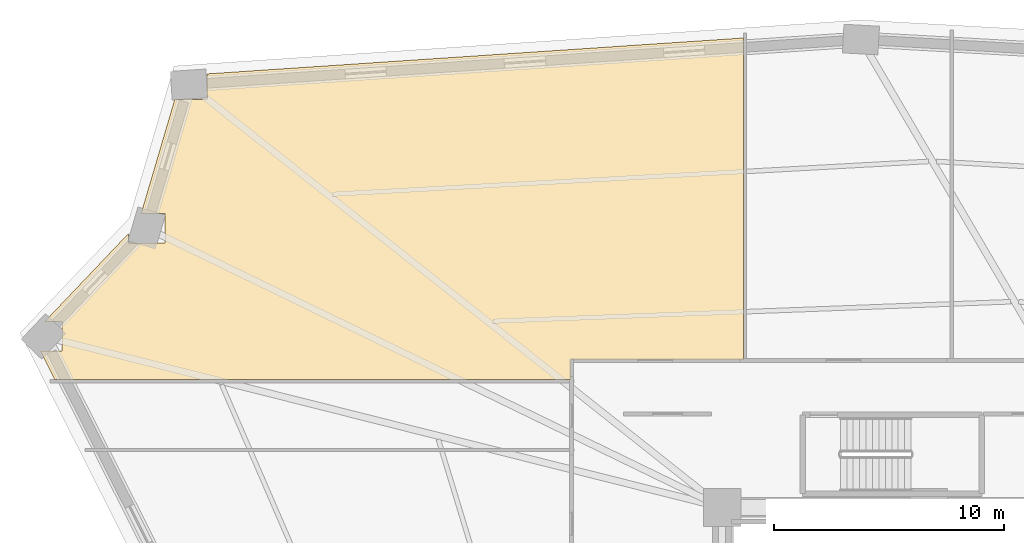
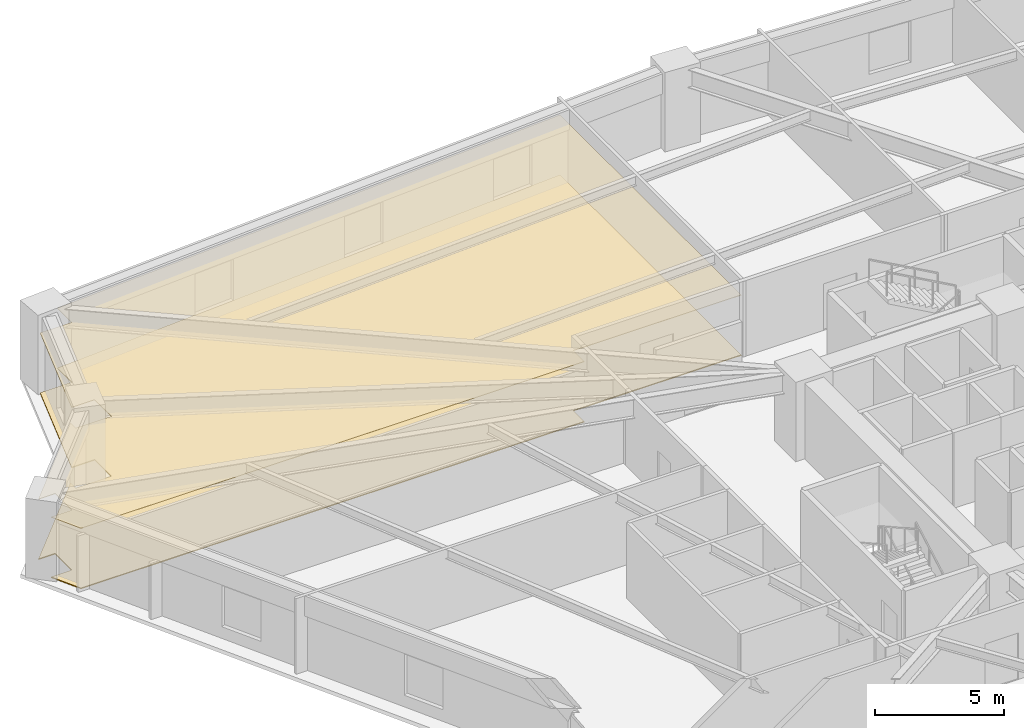
# One storey, part 10 of 11: 2 coverings.
"""IFC4 building model written with IfcOpenShell, lengths in metres."""

import ifcopenshell
import ifcopenshell.guid

model = None  # the IFC model being written
_history = None  # IfcOwnerHistory: only IFC2X3 demands one
_inside = {}  # id of a spatial element -> (the spatial element, [elements in it])
_under = {}  # id of a project, library or spatial element -> (it, [spatial elements below it])
_declared = {}  # id of a project -> (the project, [libraries it declares])
_typed = {}  # id of a type object -> (the type object, [elements of that type])
_made_of = {}  # id of a material, layer set ... -> (it, [elements and type objects made of it])


def new_model(schema):
    """Start an empty IFC model of exactly this schema.

    Asked for "IFC4X3", IfcOpenShell would pick the latest addendum, in which some entities
    have other attributes; the version numbers below select the first issue.
    IFC2X3 requires an IfcOwnerHistory on every rooted entity: one is made here for all.
    """
    global model, _history
    if schema == "IFC4X3":
        model = ifcopenshell.file(schema_version=(4, 3, 0, 0))
    else:
        model = ifcopenshell.file(schema=schema)
    _inside.clear()
    _under.clear()
    _declared.clear()
    _typed.clear()
    _made_of.clear()
    _history = None
    if model.schema == "IFC2X3":
        org = make("IfcOrganization", Name="unknown")
        user = make(
            "IfcPersonAndOrganization",
            ThePerson=make("IfcPerson", FamilyName="unknown"),
            TheOrganization=org,
        )
        app = make(
            "IfcApplication",
            ApplicationDeveloper=org,
            Version="unknown",
            ApplicationFullName="unknown",
            ApplicationIdentifier="unknown",
        )
        _history = make(
            "IfcOwnerHistory",
            OwningUser=user,
            OwningApplication=app,
            ChangeAction="ADDED",
            CreationDate=0,
        )
    return model


def make(cls, **values):
    """One entity of the class cls with the attributes given. An attribute that is None is left unset."""
    return model.create_entity(
        cls, **{name: value for name, value in values.items() if value is not None}
    )


def rooted(cls, **values):
    """An entity with a GlobalId (a new one), such as an element, a storey or a relation."""
    return make(cls, GlobalId=ifcopenshell.guid.new(), OwnerHistory=_history, **values)


def si_unit(unit_type, name, prefix=None):
    """IfcSIUnit, for example si_unit("LENGTHUNIT", "METRE", prefix="MILLI")."""
    return make("IfcSIUnit", UnitType=unit_type, Prefix=prefix, Name=name)


def assignment(units):
    """IfcUnitAssignment: the units of a project."""
    return None if units is None else make("IfcUnitAssignment", Units=units)


def point(xyz):
    """IfcCartesianPoint."""
    return None if xyz is None else make("IfcCartesianPoint", Coordinates=xyz)


def direction(xyz):
    """IfcDirection."""
    return None if xyz is None else make("IfcDirection", DirectionRatios=xyz)


def frame(location, z_axis=None, x_axis=None):
    """IfcAxis2Placement3D, a coordinate frame: its origin and axes. An axis left out is left unset."""
    return make(
        "IfcAxis2Placement3D",
        Location=point(location),
        Axis=direction(z_axis),
        RefDirection=direction(x_axis),
    )


def origin():
    """The frame at (0, 0, 0) with its axes left unset."""
    return frame((0.0, 0.0, 0.0))


def place(relative_to, where):
    """IfcLocalPlacement: puts the frame where relative to a parent placement (None: the world)."""
    return make(
        "IfcLocalPlacement", PlacementRelTo=relative_to, RelativePlacement=where
    )


def context(
    kind, dimensions, precision=None, world=None, true_north=None, identifier=None
):
    """IfcGeometricRepresentationContext, for example the 3D "Model" context."""
    return make(
        "IfcGeometricRepresentationContext",
        ContextIdentifier=identifier,
        ContextType=kind,
        CoordinateSpaceDimension=dimensions,
        Precision=precision,
        WorldCoordinateSystem=world,
        TrueNorth=true_north,
    )


def subcontext(parent, identifier, kind, view, scale=None):
    """IfcGeometricRepresentationSubContext, for example "Body" below "Model"."""
    return make(
        "IfcGeometricRepresentationSubContext",
        ContextIdentifier=identifier,
        ContextType=kind,
        ParentContext=parent,
        TargetScale=scale,
        TargetView=view,
    )


def project(units=None, contexts=None):
    """IfcProject with its units and contexts."""
    return rooted(
        "IfcProject",
        Name="project",
        RepresentationContexts=contexts,
        UnitsInContext=assignment(units),
    )


def spatial(cls, under=None, at=None, **own):
    """A site, building, storey or space (cls), placed at a placement, below another one or the project."""
    s = rooted(cls, ObjectPlacement=at, **own)
    if under is not None:
        _under.setdefault(under.id(), (under, []))[1].append(s)
    return s


def polyline(points):
    """IfcPolyline through the points."""
    return make("IfcPolyline", Points=[point(p) for p in points])


def outline(outer, holes=None, kind="AREA"):
    """IfcArbitraryClosedProfileDef: a profile drawn as a closed curve; with holes, ...WithVoids."""
    if holes is None:
        return make("IfcArbitraryClosedProfileDef", ProfileType=kind, OuterCurve=outer)
    return make(
        "IfcArbitraryProfileDefWithVoids",
        ProfileType=kind,
        OuterCurve=outer,
        InnerCurves=holes,
    )


def extrude(swept, where, along, depth):
    """IfcExtrudedAreaSolid: the profile swept, set in the frame where, extruded along a direction by depth."""
    return make(
        "IfcExtrudedAreaSolid",
        SweptArea=swept,
        Position=where,
        ExtrudedDirection=direction(along),
        Depth=depth,
    )


def shape(context_of_items, identifier, shape_type, items):
    """IfcShapeRepresentation: the items that make up one representation, for example the "Body"."""
    return make(
        "IfcShapeRepresentation",
        ContextOfItems=context_of_items,
        RepresentationIdentifier=identifier,
        RepresentationType=shape_type,
        Items=items,
    )


def material(Name=None, Category=None):
    """IfcMaterial."""
    return make("IfcMaterial", Name=Name, Category=Category)


def layer(
    of_material, thickness, ventilated=None, Name=None, Category=None, Priority=None
):
    """IfcMaterialLayer: one layer of a wall or slab, of a material (None: an air gap)."""
    return make(
        "IfcMaterialLayer",
        Material=of_material,
        LayerThickness=thickness,
        IsVentilated=ventilated,
        Name=Name,
        Category=Category,
        Priority=Priority,
    )


def layer_set(layers, Name=None):
    """IfcMaterialLayerSet."""
    return make("IfcMaterialLayerSet", MaterialLayers=layers, LayerSetName=Name)


def made_of(thing, what):
    """Note that an element or type object is made of a material, layer set ...; save() writes the relation."""
    if what is not None:
        _made_of.setdefault(what.id(), (what, []))[1].append(thing)
    return thing


def type_object(cls, material=None, **own):
    """A type object (cls), such as IfcWallType, which elements share."""
    return made_of(rooted(cls, **own), material)


def element(
    cls,
    number,
    at=None,
    inside=None,
    cuts=None,
    type_object=None,
    material=None,
    context=None,
    identifier="Body",
    shape_type=None,
    held_by="IfcProductDefinitionShape",
    body=None,
    shapes=None,
    **own,
):
    """One element of the class cls, such as IfcWall. Its Tag is "e" and its number.

    at: its placement. inside: the storey or other place that contains it. cuts: it is an
    opening in that element (IfcRelVoidsElement). A single representation is given by context,
    identifier, shape_type and body (its items); several are given by shapes. held_by: the class
    of the entity that holds the representations. save() writes the other relations.
    """
    e = rooted(cls, Tag="e%d" % number, ObjectPlacement=at, **own)
    if body is not None:
        shapes = [shape(context, identifier, shape_type, body)]
    if shapes is not None:
        e.Representation = make(held_by, Representations=shapes)
    if inside is not None:
        _inside.setdefault(inside.id(), (inside, []))[1].append(e)
    if cuts is not None:
        rooted(
            "IfcRelVoidsElement", RelatingBuildingElement=cuts, RelatedOpeningElement=e
        )
    if type_object is not None:
        _typed.setdefault(type_object.id(), (type_object, []))[1].append(e)
    return made_of(e, material)


def aggregate(whole, parts):
    """IfcRelAggregates: a whole, such as a stair, and the parts it consists of."""
    return rooted("IfcRelAggregates", RelatingObject=whole, RelatedObjects=parts)


def save(model, path):
    """Write the relations noted so far, then the file.

    IfcRelAggregates (storeys below a building ...), IfcRelContainedInSpatialStructure (elements
    in a storey), IfcRelDefinesByType, IfcRelAssociatesMaterial and IfcRelDeclares: one each for
    every whole, place, type object, material and project.
    """
    for whole, parts in _under.values():
        aggregate(whole, parts)
    for where, things in _inside.values():
        rooted(
            "IfcRelContainedInSpatialStructure",
            RelatedElements=things,
            RelatingStructure=where,
        )
    for kind, things in _typed.values():
        rooted("IfcRelDefinesByType", RelatedObjects=things, RelatingType=kind)
    for what, things in _made_of.values():
        rooted("IfcRelAssociatesMaterial", RelatedObjects=things, RelatingMaterial=what)
    for by, libraries in _declared.values():
        rooted("IfcRelDeclares", RelatingContext=by, RelatedDefinitions=libraries)
    model.write(path)


model = new_model("IFC4")

# Units and contexts
model_context = context("Model", 3, precision=1e-05, world=origin(), true_north=direction((0.0, 1.0)))
body_context = subcontext(model_context, "Body", "Model", "MODEL_VIEW")
ifc_project = project(units=[si_unit("LENGTHUNIT", "METRE"), si_unit("AREAUNIT", "SQUARE_METRE"), si_unit("VOLUMEUNIT", "CUBIC_METRE"), si_unit("PLANEANGLEUNIT", "RADIAN"), si_unit("MASSUNIT", "GRAM", prefix="KILO")], contexts=[model_context])

# Site, building, storey
site_placement = place(None, origin())
site = spatial("IfcSite", under=ifc_project, at=site_placement, CompositionType="ELEMENT")
building_placement = place(site_placement, origin())
building = spatial("IfcBuilding", under=site, at=building_placement, Name="Liaohun Quay Tower", CompositionType="ELEMENT")
storey_placement = place(building_placement, frame((0.0, 0.0, 51.75)))
storey = spatial("IfcBuildingStorey", under=building, at=storey_placement, Name="L13", CompositionType="ELEMENT", Elevation=51.75)

# Coverings
ifc_material_1 = material(Name="Mineral-fibre acoustic ceiling tile")
ifc_layer_1 = layer(ifc_material_1, 0.02490234375, Name="Mineral-fibre acoustic ceiling tile")
ifc_layer_set_1 = layer_set([ifc_layer_1], Name="Mineral-fibre acoustic ceiling tile")
covering_type_1 = type_object("IfcCoveringType", Name="COV-CEIL-ACT", PredefinedType="CEILING", material=ifc_layer_set_1)
covering_1_placement = place(storey_placement, frame((0.0, 0.0, 2.85009765625)))
element("IfcCovering", 1, at=covering_1_placement, inside=storey, type_object=covering_type_1, Name="L13 Staff Tea Kitchen and Pantry 06 Acoustic Ceiling", PredefinedType="CEILING", context=body_context, shape_type="SweptSolid", body=[
    extrude(outline(polyline([(21.48095703125, 69.60009765625), (22.22802734375, 69.60009765625), (22.22802734375, 68.31005859375), (21.300048828125, 68.31005859375), (21.923095703125, 67.074951171875), (44.419921875, 67.074951171875), (44.419921875, 67.929931640625), (51.925048828125, 67.929931640625), (51.925048828125, 81.9580078125), (28.56201171875, 80.39404296875), (28.56201171875, 79.283935546875), (27.14892578125, 79.283935546875), (25.68603515625, 74.319091796875), (26.718017578125, 74.319091796875), (26.718017578125, 73.029052734375), (25.1279296875, 73.029052734375), (25.1279296875, 73.43310546875), (21.48095703125, 69.60009765625)])), origin(), (0.0, 0.0, 1.0), 0.02490234375),
])
ifc_material_2 = material(Name="Calcium-sulphate raised access floor tile")
ifc_layer_2 = layer(ifc_material_2, 0.044921875, Name="Calcium-sulphate raised access floor tile")
ifc_layer_set_2 = layer_set([ifc_layer_2], Name="Calcium-sulphate raised access floor tile")
covering_type_2 = type_object("IfcCoveringType", Name="COV-FLR-RAF", PredefinedType="FLOORING", material=ifc_layer_set_2)
covering_2_placement = place(storey_placement, origin())
element("IfcCovering", 2, at=covering_2_placement, inside=storey, type_object=covering_type_2, Name="L13 Staff Tea Kitchen and Pantry 06 Floor Finish", PredefinedType="FLOORING", context=body_context, shape_type="SweptSolid", body=[
    extrude(outline(polyline([(21.48095703125, 69.60009765625), (22.22802734375, 69.60009765625), (22.22802734375, 68.31005859375), (21.300048828125, 68.31005859375), (21.923095703125, 67.074951171875), (44.419921875, 67.074951171875), (44.419921875, 67.929931640625), (51.925048828125, 67.929931640625), (51.925048828125, 81.9580078125), (28.56201171875, 80.39404296875), (28.56201171875, 79.283935546875), (27.14892578125, 79.283935546875), (25.68603515625, 74.319091796875), (26.718017578125, 74.319091796875), (26.718017578125, 73.029052734375), (25.1279296875, 73.029052734375), (25.1279296875, 73.43310546875), (21.48095703125, 69.60009765625)])), origin(), (0.0, 0.0, 1.0), 0.044921875),
])

save(model, "model.ifc")
